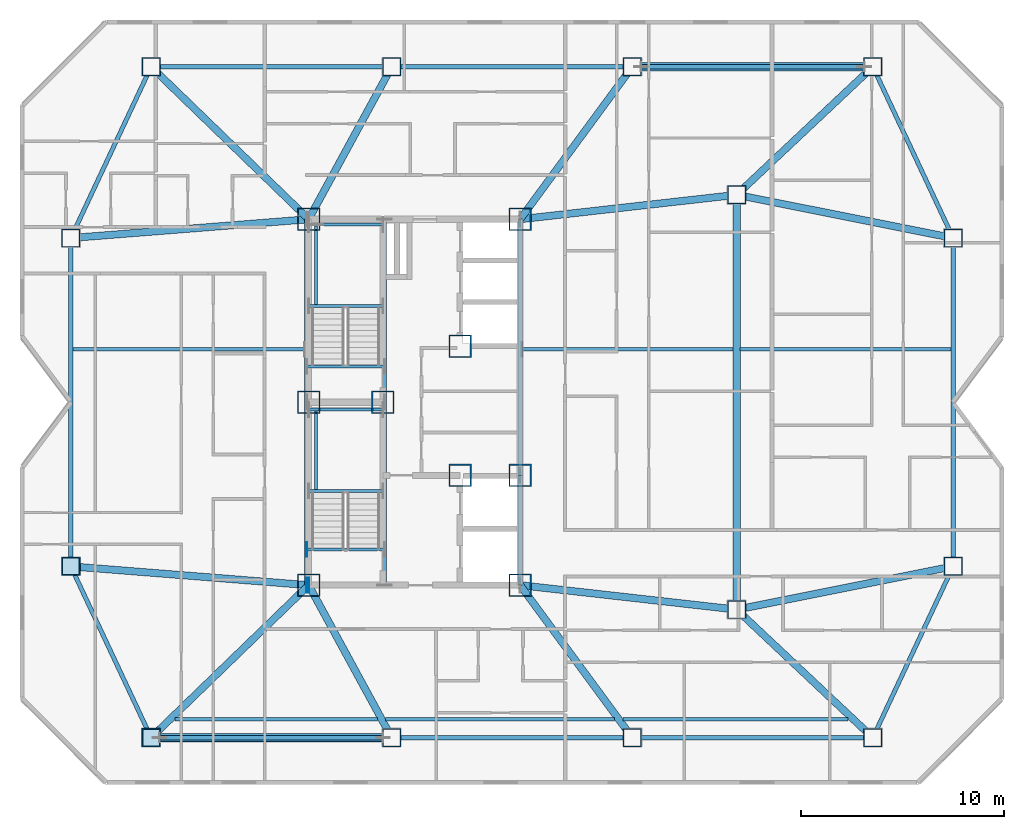
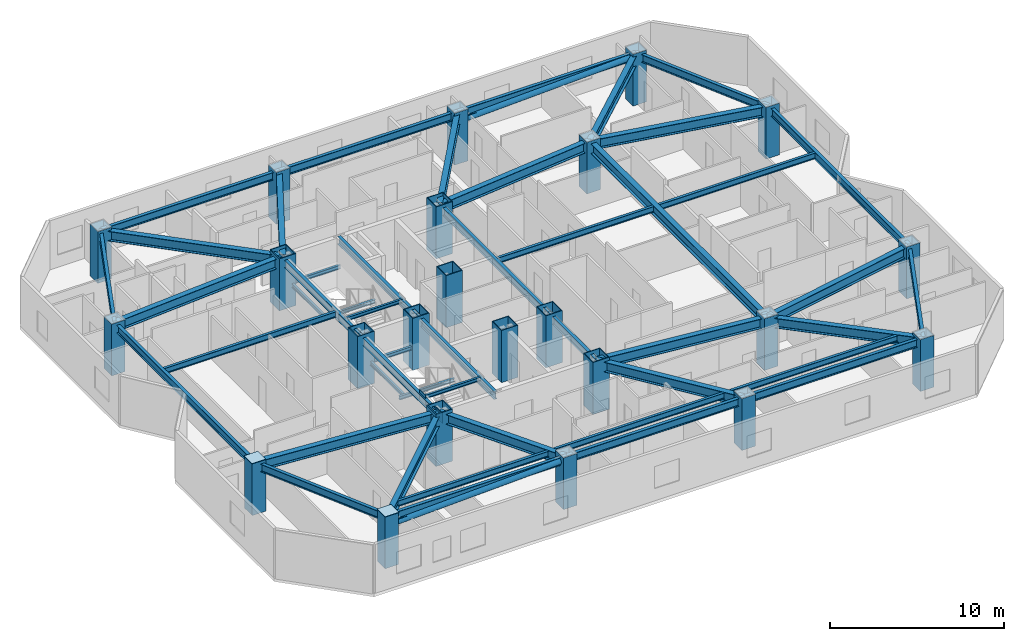
# One storey, part 1 of 13: 47 beams, 23 columns, 5 plates, 2 members.
"""IFC4 building model written with IfcOpenShell, lengths in metres."""

from ifc_helpers import new_model, si_unit, direction, frame, origin, origin_2d, place, context, subcontext, project, spatial, rectangle, hollow_rectangle, hollow_circle, i_section, extrude, material, layer, layer_set, material_profile, profile_set, type_object, element, save


model = new_model("IFC4")

# Units and contexts
model_context = context("Model", 3, precision=1e-05, world=origin(), true_north=direction((0.0, 1.0)))
body_context = subcontext(model_context, "Body", "Model", "MODEL_VIEW")
ifc_project = project(units=[si_unit("LENGTHUNIT", "METRE"), si_unit("AREAUNIT", "SQUARE_METRE"), si_unit("VOLUMEUNIT", "CUBIC_METRE"), si_unit("PLANEANGLEUNIT", "RADIAN"), si_unit("MASSUNIT", "GRAM", prefix="KILO")], contexts=[model_context])

# Site, building, storey
site_placement = place(None, origin())
site = spatial("IfcSite", under=ifc_project, at=site_placement, CompositionType="ELEMENT")
building_placement = place(site_placement, origin())
building = spatial("IfcBuilding", under=site, at=building_placement, Name="Khamvora Tower", CompositionType="ELEMENT")
storey_placement = place(building_placement, frame((0.0, 0.0, 196.050048828125)))
storey = spatial("IfcBuildingStorey", under=building, at=storey_placement, Name="L50", CompositionType="ELEMENT", Elevation=196.050048828125)

# Columns
ifc_material_1 = material(Name="Steel S460", Category="steel")
ifc_material_profile_1 = material_profile(ifc_material_1, hollow_rectangle(XDim=1.10009765625, YDim=1.10009765625, WallThickness=0.054931640625, at=origin_2d()), Name="BOX1100x1100x55")
ifc_profile_set_1 = profile_set([ifc_material_profile_1], Name="Steel S460")
column_type_1 = type_object("IfcColumnType", Name="COL-BOX1100", PredefinedType="COLUMN", material=ifc_profile_set_1)
for number, where, z_axis, x_axis, name in (
    (1, (29.0, 19.0, 0.0), (0.0, 0.0, 1.0), (1.0, 0.0, 0.0), "L50 plumb core spine column SC1"),
    (2, (32.64990234375, 28.0, 0.0), (0.0, 0.0, 1.0), (1.0, 0.0, 0.0), "L50 plumb core spine column SC2"),
    (3, (39.39990234375, 19.0, 0.0), (0.0, 0.0, 1.0), (1.0, 0.0, 0.0), "L50 plumb core spine column SC3"),
    (4, (29.0, 28.0, 0.0), (0.0, 0.0, 1.0), (1.0, 0.0, 0.0), "L50 plumb core spine column SC4"),
    (5, (36.449951171875, 24.39990234375, 0.0), (0.0, 0.0, 1.0), (1.0, 0.0, 0.0), "L50 plumb core spine column SC5"),
    (6, (39.39990234375, 24.39990234375, 0.0), (0.0, 0.0, 1.0), (1.0, 0.0, 0.0), "L50 plumb core spine column SC6"),
    (7, (29.0, 37.0, 0.0), (0.0, 0.0, 1.0), (1.0, 0.0, 0.0), "L50 plumb core spine column SC7"),
    (8, (36.449951171875, 30.75, 0.0), (0.0, 0.0, 1.0), (1.0, 0.0, 0.0), "L50 plumb core spine column SC8"),
    (9, (39.39990234375, 37.0, 0.0), (0.0, 0.0, 1.0), (1.0, 0.0, 0.0), "L50 plumb core spine column SC9"),
):
    element("IfcColumn", number, at=place(storey_placement, frame(where, z_axis=z_axis, x_axis=x_axis)), inside=storey, type_object=column_type_1, Name=name, PredefinedType="COLUMN", context=body_context, shape_type="SweptSolid", body=[
        extrude(hollow_rectangle(XDim=1.10009765625, YDim=1.10009765625, WallThickness=0.054931640625, at=origin_2d()), origin(), (0.0, 0.0, 1.0), 3.64990234375),
    ])
ifc_material_2 = material(Name="Steel S355", Category="steel")
ifc_material_profile_2 = material_profile(ifc_material_2, hollow_rectangle(XDim=0.89990234375, YDim=0.89990234375, WallThickness=0.044921875, at=origin_2d()), Name="BOX900x900x45")
ifc_profile_set_2 = profile_set([ifc_material_profile_2], Name="Steel S355")
column_type_2 = type_object("IfcColumnType", Name="COL-BOX900", PredefinedType="COLUMN", material=ifc_profile_set_2)
for number, where, z_axis, x_axis, name in (
    (10, (21.25, 11.5, 0.0), (0.0, 0.0, 1.0), (1.0, 0.0, 0.0), "L50 structural frame column S1"),
    (11, (33.0830078125, 11.5, 0.0), (0.0, 0.0, 1.0), (1.0, 0.0, 0.0), "L50 structural frame column S2"),
    (12, (44.9169921875, 11.5, 0.0), (0.0, 0.0, 1.0), (1.0, 0.0, 0.0), "L50 structural frame column S3"),
    (13, (56.75, 11.5, 0.0), (0.0, 0.0, 1.0), (1.0, 0.0, 0.0), "L50 structural frame column S4"),
    (14, (21.25, 44.5, 0.0), (0.0, 0.0, 1.0), (1.0, 0.0, 0.0), "L50 structural frame column N1"),
    (15, (33.0830078125, 44.5, 0.0), (0.0, 0.0, 1.0), (1.0, 0.0, 0.0), "L50 structural frame column N2"),
    (16, (44.9169921875, 44.5, 0.0), (0.0, 0.0, 1.0), (1.0, 0.0, 0.0), "L50 structural frame column N3"),
    (17, (56.75, 44.5, 0.0), (0.0, 0.0, 1.0), (1.0, 0.0, 0.0), "L50 structural frame column N4"),
    (18, (17.300048828125, 19.925048828125, 0.0), (0.0, 0.0, 1.0), (1.0, 0.0, 0.0), "L50 structural frame column W1"),
    (19, (17.300048828125, 36.074951171875, 0.0), (0.0, 0.0, 1.0), (1.0, 0.0, 0.0), "L50 structural frame column W2"),
    (20, (60.699951171875, 19.925048828125, 0.0), (0.0, 0.0, 1.0), (1.0, 0.0, 0.0), "L50 structural frame column E1"),
    (21, (60.699951171875, 36.074951171875, 0.0), (0.0, 0.0, 1.0), (1.0, 0.0, 0.0), "L50 structural frame column E2"),
    (22, (50.050048828125, 17.800048828125, 0.0), (0.0, 0.0, 1.0), (1.0, 0.0, 0.0), "L50 structural frame column M1"),
    (23, (50.050048828125, 38.199951171875, 0.0), (0.0, 0.0, 1.0), (1.0, 0.0, 0.0), "L50 structural frame column M2"),
):
    element("IfcColumn", number, at=place(storey_placement, frame(where, z_axis=z_axis, x_axis=x_axis)), inside=storey, type_object=column_type_2, Name=name, PredefinedType="COLUMN", context=body_context, shape_type="SweptSolid", body=[
        extrude(hollow_rectangle(XDim=0.89990234375, YDim=0.89990234375, WallThickness=0.044921875, at=origin_2d()), origin(), (0.0, 0.0, 1.0), 3.625),
    ])

# Beams
ifc_material_profile_3 = material_profile(ifc_material_2, i_section(OverallWidth=0.177978515625, OverallDepth=0.406982421875, WebThickness=0.008056640625, FlangeThickness=0.012939453125, FilletRadius=0.010009765625, at=origin_2d()), Name="W410x60")
ifc_profile_set_3 = profile_set([ifc_material_profile_3], Name="Steel S355")
beam_type_1 = type_object("IfcBeamType", Name="BM-JS-W410x60", PredefinedType="JOIST", material=ifc_profile_set_3)
beam_1_placement = place(storey_placement, frame((22.429931640625, 12.39990234375, 3.225830078125), z_axis=(1.0, 0.0, 0.0), x_axis=(0.0, 1.0, 0.0)))
element("IfcBeam", 24, at=beam_1_placement, inside=storey, type_object=beam_type_1, Name="L50 secondary floor joist 01", PredefinedType="JOIST", context=body_context, shape_type="SweptSolid", body=[
    extrude(i_section(OverallWidth=0.177978515625, OverallDepth=0.406982421875, WebThickness=0.008056640625, FlangeThickness=0.012939453125, FilletRadius=0.010009765625, at=origin_2d()), origin(), (0.0, 0.0, 1.0), 9.966064453125),
])
beam_2_placement = place(storey_placement, frame((32.7900390625, 12.39990234375, 3.225830078125), z_axis=(1.0, 0.0, 0.0), x_axis=(0.0, 1.0, 0.0)))
element("IfcBeam", 25, at=beam_2_placement, inside=storey, type_object=beam_type_1, Name="L50 secondary floor joist 02", PredefinedType="JOIST", context=body_context, shape_type="SweptSolid", body=[
    extrude(i_section(OverallWidth=0.177978515625, OverallDepth=0.406982421875, WebThickness=0.008056640625, FlangeThickness=0.012939453125, FilletRadius=0.010009765625, at=origin_2d()), origin(), (0.0, 0.0, 1.0), 11.25),
])
beam_3_placement = place(storey_placement, frame((44.469970703125, 12.39990234375, 3.225830078125), z_axis=(1.0, 0.0, 0.0), x_axis=(0.0, 1.0, 0.0)))
element("IfcBeam", 26, at=beam_3_placement, inside=storey, type_object=beam_type_1, Name="L50 secondary floor joist 03", PredefinedType="JOIST", context=body_context, shape_type="SweptSolid", body=[
    extrude(i_section(OverallWidth=0.177978515625, OverallDepth=0.406982421875, WebThickness=0.008056640625, FlangeThickness=0.012939453125, FilletRadius=0.010009765625, at=origin_2d()), origin(), (0.0, 0.0, 1.0), 11.069091796875),
])
beam_4_placement = place(storey_placement, frame((17.40087890625, 30.60009765625, 3.225830078125), z_axis=(1.0, 0.0, 0.0), x_axis=(0.0, 1.0, 0.0)))
element("IfcBeam", 27, at=beam_4_placement, inside=storey, type_object=beam_type_1, Name="L50 secondary floor joist 04", PredefinedType="JOIST", context=body_context, shape_type="SweptSolid", body=[
    extrude(i_section(OverallWidth=0.177978515625, OverallDepth=0.406982421875, WebThickness=0.008056640625, FlangeThickness=0.012939453125, FilletRadius=0.010009765625, at=origin_2d()), origin(), (0.0, 0.0, 1.0), 11.399169921875),
])
beam_5_placement = place(storey_placement, frame((39.4990234375, 30.60009765625, 3.225830078125), z_axis=(1.0, 0.0, 0.0), x_axis=(0.0, 1.0, 0.0)))
element("IfcBeam", 28, at=beam_5_placement, inside=storey, type_object=beam_type_1, Name="L50 secondary floor joist 05", PredefinedType="JOIST", context=body_context, shape_type="SweptSolid", body=[
    extrude(i_section(OverallWidth=0.177978515625, OverallDepth=0.406982421875, WebThickness=0.008056640625, FlangeThickness=0.012939453125, FilletRadius=0.010009765625, at=origin_2d()), origin(), (0.0, 0.0, 1.0), 10.3779296875),
])
beam_6_placement = place(storey_placement, frame((50.221923828125, 30.60009765625, 3.225830078125), z_axis=(1.0, 0.0, 0.0), x_axis=(0.0, 1.0, 0.0)))
element("IfcBeam", 29, at=beam_6_placement, inside=storey, type_object=beam_type_1, Name="L50 secondary floor joist 06", PredefinedType="JOIST", context=body_context, shape_type="SweptSolid", body=[
    extrude(i_section(OverallWidth=0.177978515625, OverallDepth=0.406982421875, WebThickness=0.008056640625, FlangeThickness=0.012939453125, FilletRadius=0.010009765625, at=origin_2d()), origin(), (0.0, 0.0, 1.0), 10.377197265625),
])
ifc_material_profile_4 = material_profile(ifc_material_2, i_section(OverallWidth=0.14697265625, OverallDepth=0.261962890625, WebThickness=0.007080078125, FlangeThickness=0.010986328125, FilletRadius=0.008056640625, at=origin_2d()), Name="W250x39")
ifc_profile_set_4 = profile_set([ifc_material_profile_4], Name="Steel S355")
beam_type_2 = type_object("IfcBeamType", Name="BM-LN-W250x39", PredefinedType="LINTEL", material=ifc_profile_set_4)
for number, where, z_axis, x_axis, name in (
    (30, (29.0, 23.635009765625, 1.493896484375), (1.0, 0.0, 0.0), (0.0, 1.0, 0.0), "L50 ST-01 half-landing support beam 1.1"),
    (31, (29.0, 27.6298828125, 1.493896484375), (1.0, 0.0, 0.0), (0.0, 1.0, 0.0), "L50 ST-01 half-landing support beam 1.2"),
):
    element("IfcBeam", number, at=place(storey_placement, frame(where, z_axis=z_axis, x_axis=x_axis)), inside=storey, type_object=beam_type_2, Name=name, PredefinedType="LINTEL", context=body_context, shape_type="SweptSolid", body=[
        extrude(i_section(OverallWidth=0.14697265625, OverallDepth=0.261962890625, WebThickness=0.007080078125, FlangeThickness=0.010986328125, FilletRadius=0.008056640625, at=origin_2d()), origin(), (0.0, 0.0, 1.0), 3.64990234375),
    ])
beam_7_placement = place(storey_placement, frame((29.35009765625, 23.635009765625, 1.493896484375), z_axis=(0.0, 1.0, 0.0), x_axis=(-1.0, 0.0, 0.0)))
element("IfcBeam", 32, at=beam_7_placement, inside=storey, type_object=beam_type_2, Name="L50 ST-01 half-landing edge stringer 1", PredefinedType="LINTEL", context=body_context, shape_type="SweptSolid", body=[
    extrude(i_section(OverallWidth=0.14697265625, OverallDepth=0.261962890625, WebThickness=0.007080078125, FlangeThickness=0.010986328125, FilletRadius=0.008056640625, at=origin_2d()), origin(), (0.0, 0.0, 1.0), 3.994873046875),
])
for number, where, z_axis, x_axis, name in (
    (33, (29.0, 32.735107421875, 1.493896484375), (1.0, 0.0, 0.0), (0.0, 1.0, 0.0), "L50 ST-02 half-landing support beam 1.1"),
    (34, (29.0, 36.72998046875, 1.493896484375), (1.0, 0.0, 0.0), (0.0, 1.0, 0.0), "L50 ST-02 half-landing support beam 1.2"),
):
    element("IfcBeam", number, at=place(storey_placement, frame(where, z_axis=z_axis, x_axis=x_axis)), inside=storey, type_object=beam_type_2, Name=name, PredefinedType="LINTEL", context=body_context, shape_type="SweptSolid", body=[
        extrude(i_section(OverallWidth=0.14697265625, OverallDepth=0.261962890625, WebThickness=0.007080078125, FlangeThickness=0.010986328125, FilletRadius=0.008056640625, at=origin_2d()), origin(), (0.0, 0.0, 1.0), 3.64990234375),
    ])
beam_8_placement = place(storey_placement, frame((29.35009765625, 32.735107421875, 1.493896484375), z_axis=(0.0, 1.0, 0.0), x_axis=(-1.0, 0.0, 0.0)))
element("IfcBeam", 35, at=beam_8_placement, inside=storey, type_object=beam_type_2, Name="L50 ST-02 half-landing edge stringer 1", PredefinedType="LINTEL", context=body_context, shape_type="SweptSolid", body=[
    extrude(i_section(OverallWidth=0.14697265625, OverallDepth=0.261962890625, WebThickness=0.007080078125, FlangeThickness=0.010986328125, FilletRadius=0.008056640625, at=origin_2d()), origin(), (0.0, 0.0, 1.0), 3.994873046875),
])
for number, where, z_axis, x_axis, name in (
    (36, (28.89990234375, 20.75, 3.303955078125), (1.0, 0.0, 0.0), (0.0, 1.0, 0.0), "L50 exit stair ST-01 landing trimmer beam"),
    (37, (28.89990234375, 29.75, 3.303955078125), (1.0, 0.0, 0.0), (0.0, 1.0, 0.0), "L50 exit stair ST-02 landing trimmer beam"),
):
    element("IfcBeam", number, at=place(storey_placement, frame(where, z_axis=z_axis, x_axis=x_axis)), inside=storey, type_object=beam_type_2, Name=name, PredefinedType="LINTEL", context=body_context, shape_type="SweptSolid", body=[
        extrude(i_section(OverallWidth=0.14697265625, OverallDepth=0.261962890625, WebThickness=0.007080078125, FlangeThickness=0.010986328125, FilletRadius=0.008056640625, at=origin_2d()), origin(), (0.0, 0.0, 1.0), 3.830078125),
    ])
ifc_material_profile_5 = material_profile(ifc_material_2, i_section(OverallWidth=0.35498046875, OverallDepth=0.695068359375, WebThickness=0.014892578125, FlangeThickness=0.02490234375, FilletRadius=0.01611328125, at=origin_2d()), Name="W690x217")
ifc_profile_set_5 = profile_set([ifc_material_profile_5], Name="Steel S355")
beam_type_3 = type_object("IfcBeamType", Name="BM-PG-W690x217", PredefinedType="BEAM", material=ifc_profile_set_5)
beam_9_placement = place(storey_placement, frame((50.050048828125, 17.800048828125, 3.08203125), z_axis=(0.0, 1.0, 0.0), x_axis=(-1.0, 0.0, 0.0)))
element("IfcBeam", 38, at=beam_9_placement, inside=storey, type_object=beam_type_3, Name="L50 longitudinal frame girder M1-M2", PredefinedType="BEAM", context=body_context, shape_type="SweptSolid", body=[
    extrude(i_section(OverallWidth=0.35498046875, OverallDepth=0.695068359375, WebThickness=0.014892578125, FlangeThickness=0.02490234375, FilletRadius=0.01611328125, at=origin_2d()), origin(), (0.0, 0.0, 1.0), 20.39990234375),
])
beam_10_placement = place(storey_placement, frame((29.0, 19.0, 3.08203125), z_axis=(-0.718602141767, -0.695421427516, 0.0), x_axis=(0.695421427516, -0.718602141767, 0.0)))
element("IfcBeam", 39, at=beam_10_placement, inside=storey, type_object=beam_type_3, Name="L50 primary floor girder S1", PredefinedType="BEAM", context=body_context, shape_type="SweptSolid", body=[
    extrude(i_section(OverallWidth=0.35498046875, OverallDepth=0.695068359375, WebThickness=0.014892578125, FlangeThickness=0.02490234375, FilletRadius=0.01611328125, at=origin_2d()), origin(), (0.0, 0.0, 1.0), 10.784912109375),
])
beam_11_placement = place(storey_placement, frame((29.0, 19.0, 3.08203125), z_axis=(0.478138862063, -0.878284252725, 0.0), x_axis=(0.878284252725, 0.478138862063, 0.0)))
element("IfcBeam", 40, at=beam_11_placement, inside=storey, type_object=beam_type_3, Name="L50 primary floor girder S2", PredefinedType="BEAM", context=body_context, shape_type="SweptSolid", body=[
    extrude(i_section(OverallWidth=0.35498046875, OverallDepth=0.695068359375, WebThickness=0.014892578125, FlangeThickness=0.02490234375, FilletRadius=0.01611328125, at=origin_2d()), origin(), (0.0, 0.0, 1.0), 8.539306640625),
])
beam_12_placement = place(storey_placement, frame((39.39990234375, 19.0, 3.08203125), z_axis=(0.592556630955, -0.805528794713, 0.0), x_axis=(0.805528794713, 0.592556630955, 0.0)))
element("IfcBeam", 41, at=beam_12_placement, inside=storey, type_object=beam_type_3, Name="L50 primary floor girder S3", PredefinedType="BEAM", context=body_context, shape_type="SweptSolid", body=[
    extrude(i_section(OverallWidth=0.35498046875, OverallDepth=0.695068359375, WebThickness=0.014892578125, FlangeThickness=0.02490234375, FilletRadius=0.01611328125, at=origin_2d()), origin(), (0.0, 0.0, 1.0), 9.310546875),
])
beam_13_placement = place(storey_placement, frame((50.050048828125, 17.800048828125, 3.08203125), z_axis=(0.728513992294, -0.685030921224, 0.0), x_axis=(0.685030921224, 0.728513992294, 0.0)))
element("IfcBeam", 42, at=beam_13_placement, inside=storey, type_object=beam_type_3, Name="L50 primary floor girder S4", PredefinedType="BEAM", context=body_context, shape_type="SweptSolid", body=[
    extrude(i_section(OverallWidth=0.35498046875, OverallDepth=0.695068359375, WebThickness=0.014892578125, FlangeThickness=0.02490234375, FilletRadius=0.01611328125, at=origin_2d()), origin(), (0.0, 0.0, 1.0), 9.19677734375),
])
beam_14_placement = place(storey_placement, frame((29.0, 37.0, 3.08203125), z_axis=(-0.718602141767, 0.695421427516, 0.0), x_axis=(-0.695421427516, -0.718602141767, 0.0)))
element("IfcBeam", 43, at=beam_14_placement, inside=storey, type_object=beam_type_3, Name="L50 primary floor girder N1", PredefinedType="BEAM", context=body_context, shape_type="SweptSolid", body=[
    extrude(i_section(OverallWidth=0.35498046875, OverallDepth=0.695068359375, WebThickness=0.014892578125, FlangeThickness=0.02490234375, FilletRadius=0.01611328125, at=origin_2d()), origin(), (0.0, 0.0, 1.0), 10.784912109375),
])
beam_15_placement = place(storey_placement, frame((29.0, 37.0, 3.08203125), z_axis=(0.478138862063, 0.878284252725, 0.0), x_axis=(-0.878284252725, 0.478138862063, 0.0)))
element("IfcBeam", 44, at=beam_15_placement, inside=storey, type_object=beam_type_3, Name="L50 primary floor girder N2", PredefinedType="BEAM", context=body_context, shape_type="SweptSolid", body=[
    extrude(i_section(OverallWidth=0.35498046875, OverallDepth=0.695068359375, WebThickness=0.014892578125, FlangeThickness=0.02490234375, FilletRadius=0.01611328125, at=origin_2d()), origin(), (0.0, 0.0, 1.0), 8.539306640625),
])
beam_16_placement = place(storey_placement, frame((39.39990234375, 37.0, 3.08203125), z_axis=(0.592556630955, 0.805528794713, 0.0), x_axis=(-0.805528794713, 0.592556630955, 0.0)))
element("IfcBeam", 45, at=beam_16_placement, inside=storey, type_object=beam_type_3, Name="L50 primary floor girder N3", PredefinedType="BEAM", context=body_context, shape_type="SweptSolid", body=[
    extrude(i_section(OverallWidth=0.35498046875, OverallDepth=0.695068359375, WebThickness=0.014892578125, FlangeThickness=0.02490234375, FilletRadius=0.01611328125, at=origin_2d()), origin(), (0.0, 0.0, 1.0), 9.310546875),
])
beam_17_placement = place(storey_placement, frame((50.050048828125, 38.199951171875, 3.08203125), z_axis=(0.728513992294, 0.685030921224, 0.0), x_axis=(-0.685030921224, 0.728513992294, 0.0)))
element("IfcBeam", 46, at=beam_17_placement, inside=storey, type_object=beam_type_3, Name="L50 primary floor girder N4", PredefinedType="BEAM", context=body_context, shape_type="SweptSolid", body=[
    extrude(i_section(OverallWidth=0.35498046875, OverallDepth=0.695068359375, WebThickness=0.014892578125, FlangeThickness=0.02490234375, FilletRadius=0.01611328125, at=origin_2d()), origin(), (0.0, 0.0, 1.0), 9.19677734375),
])
for number, where, z_axis, x_axis, name in (
    (47, (29.0, 19.0, 3.08203125), (-0.996888993668, 0.078818362728, 0.0), (-0.078818362728, -0.996888993668, 0.0), "L50 primary floor girder W1"),
    (48, (29.0, 37.0, 3.08203125), (-0.996888993668, -0.078818362728, 0.0), (0.078818362728, -0.996888993668, 0.0), "L50 primary floor girder W2"),
):
    element("IfcBeam", number, at=place(storey_placement, frame(where, z_axis=z_axis, x_axis=x_axis)), inside=storey, type_object=beam_type_3, Name=name, PredefinedType="BEAM", context=body_context, shape_type="SweptSolid", body=[
        extrude(i_section(OverallWidth=0.35498046875, OverallDepth=0.695068359375, WebThickness=0.014892578125, FlangeThickness=0.02490234375, FilletRadius=0.01611328125, at=origin_2d()), origin(), (0.0, 0.0, 1.0), 11.736572265625),
    ])
for number, where, z_axis, x_axis, name in (
    (49, (50.050048828125, 17.800048828125, 3.08203125), (0.980668771461, 0.195675140681, 0.0), (-0.195675140681, 0.980668771461, 0.0), "L50 primary floor girder E1"),
    (50, (50.050048828125, 38.199951171875, 3.08203125), (0.980668771461, -0.195675140681, 0.0), (0.195675140681, 0.980668771461, 0.0), "L50 primary floor girder E2"),
):
    element("IfcBeam", number, at=place(storey_placement, frame(where, z_axis=z_axis, x_axis=x_axis)), inside=storey, type_object=beam_type_3, Name=name, PredefinedType="BEAM", context=body_context, shape_type="SweptSolid", body=[
        extrude(i_section(OverallWidth=0.35498046875, OverallDepth=0.695068359375, WebThickness=0.014892578125, FlangeThickness=0.02490234375, FilletRadius=0.01611328125, at=origin_2d()), origin(), (0.0, 0.0, 1.0), 10.85986328125),
    ])
for number, where, z_axis, x_axis, name in (
    (51, (39.39990234375, 19.0, 3.08203125), (0.993712543569, -0.111961514606, 0.0), (0.111961514606, 0.993712543569, 0.0), "L50 primary floor girder M1"),
    (52, (39.39990234375, 37.0, 3.08203125), (0.993712543569, 0.111961514606, 0.0), (-0.111961514606, 0.993712543569, 0.0), "L50 primary floor girder M2"),
):
    element("IfcBeam", number, at=place(storey_placement, frame(where, z_axis=z_axis, x_axis=x_axis)), inside=storey, type_object=beam_type_3, Name=name, PredefinedType="BEAM", context=body_context, shape_type="SweptSolid", body=[
        extrude(i_section(OverallWidth=0.35498046875, OverallDepth=0.695068359375, WebThickness=0.014892578125, FlangeThickness=0.02490234375, FilletRadius=0.01611328125, at=origin_2d()), origin(), (0.0, 0.0, 1.0), 10.717529296875),
    ])
ifc_material_profile_6 = material_profile(ifc_material_2, i_section(OverallWidth=0.2119140625, OverallDepth=0.5439453125, WebThickness=0.012939453125, FlangeThickness=0.02099609375, FilletRadius=0.013916015625, at=origin_2d()), Name="W530x123")
ifc_profile_set_6 = profile_set([ifc_material_profile_6], Name="Steel S355")
beam_type_4 = type_object("IfcBeamType", Name="BM-SP-W530x123", PredefinedType="SPANDREL", material=ifc_profile_set_6)
beam_18_placement = place(storey_placement, frame((17.300048828125, 19.925048828125, 3.157958984375), z_axis=(0.424496391454, -0.905429629315, 0.0), x_axis=(0.905429629315, 0.424496391454, 0.0)))
element("IfcBeam", 53, at=beam_18_placement, inside=storey, type_object=beam_type_4, Name="L50 perimeter spandrel beam W1-S1", PredefinedType="SPANDREL", context=body_context, shape_type="SweptSolid", body=[
    extrude(i_section(OverallWidth=0.2119140625, OverallDepth=0.5439453125, WebThickness=0.012939453125, FlangeThickness=0.02099609375, FilletRadius=0.013916015625, at=origin_2d()), origin(), (0.0, 0.0, 1.0), 9.304931640625),
])
beam_19_placement = place(storey_placement, frame((21.25, 11.5, 3.157958984375), z_axis=(1.0, 0.0, 0.0), x_axis=(0.0, 1.0, 0.0)))
element("IfcBeam", 54, at=beam_19_placement, inside=storey, type_object=beam_type_4, Name="L50 perimeter spandrel beam S1-S2", PredefinedType="SPANDREL", context=body_context, shape_type="SweptSolid", body=[
    extrude(i_section(OverallWidth=0.2119140625, OverallDepth=0.5439453125, WebThickness=0.012939453125, FlangeThickness=0.02099609375, FilletRadius=0.013916015625, at=origin_2d()), origin(), (0.0, 0.0, 1.0), 11.8330078125),
])
beam_20_placement = place(storey_placement, frame((33.0830078125, 11.5, 3.157958984375), z_axis=(1.0, 0.0, 0.0), x_axis=(0.0, 1.0, 0.0)))
element("IfcBeam", 55, at=beam_20_placement, inside=storey, type_object=beam_type_4, Name="L50 perimeter spandrel beam S2-S3", PredefinedType="SPANDREL", context=body_context, shape_type="SweptSolid", body=[
    extrude(i_section(OverallWidth=0.2119140625, OverallDepth=0.5439453125, WebThickness=0.012939453125, FlangeThickness=0.02099609375, FilletRadius=0.013916015625, at=origin_2d()), origin(), (0.0, 0.0, 1.0), 11.833984375),
])
beam_21_placement = place(storey_placement, frame((44.9169921875, 11.5, 3.157958984375), z_axis=(1.0, 0.0, 0.0), x_axis=(0.0, 1.0, 0.0)))
element("IfcBeam", 56, at=beam_21_placement, inside=storey, type_object=beam_type_4, Name="L50 perimeter spandrel beam S3-S4", PredefinedType="SPANDREL", context=body_context, shape_type="SweptSolid", body=[
    extrude(i_section(OverallWidth=0.2119140625, OverallDepth=0.5439453125, WebThickness=0.012939453125, FlangeThickness=0.02099609375, FilletRadius=0.013916015625, at=origin_2d()), origin(), (0.0, 0.0, 1.0), 11.8330078125),
])
beam_22_placement = place(storey_placement, frame((56.75, 11.5, 3.157958984375), z_axis=(0.424496391454, 0.905429629315, 0.0), x_axis=(-0.905429629315, 0.424496391454, 0.0)))
element("IfcBeam", 57, at=beam_22_placement, inside=storey, type_object=beam_type_4, Name="L50 perimeter spandrel beam S4-E1", PredefinedType="SPANDREL", context=body_context, shape_type="SweptSolid", body=[
    extrude(i_section(OverallWidth=0.2119140625, OverallDepth=0.5439453125, WebThickness=0.012939453125, FlangeThickness=0.02099609375, FilletRadius=0.013916015625, at=origin_2d()), origin(), (0.0, 0.0, 1.0), 9.304931640625),
])
beam_23_placement = place(storey_placement, frame((60.699951171875, 19.925048828125, 3.157958984375), z_axis=(0.0, 1.0, 0.0), x_axis=(-1.0, 0.0, 0.0)))
element("IfcBeam", 58, at=beam_23_placement, inside=storey, type_object=beam_type_4, Name="L50 perimeter spandrel beam E1-E2", PredefinedType="SPANDREL", context=body_context, shape_type="SweptSolid", body=[
    extrude(i_section(OverallWidth=0.2119140625, OverallDepth=0.5439453125, WebThickness=0.012939453125, FlangeThickness=0.02099609375, FilletRadius=0.013916015625, at=origin_2d()), origin(), (0.0, 0.0, 1.0), 16.14990234375),
])
beam_24_placement = place(storey_placement, frame((60.699951171875, 36.074951171875, 3.157958984375), z_axis=(-0.424496391454, 0.905429629315, 0.0), x_axis=(-0.905429629315, -0.424496391454, 0.0)))
element("IfcBeam", 59, at=beam_24_placement, inside=storey, type_object=beam_type_4, Name="L50 perimeter spandrel beam E2-N4", PredefinedType="SPANDREL", context=body_context, shape_type="SweptSolid", body=[
    extrude(i_section(OverallWidth=0.2119140625, OverallDepth=0.5439453125, WebThickness=0.012939453125, FlangeThickness=0.02099609375, FilletRadius=0.013916015625, at=origin_2d()), origin(), (0.0, 0.0, 1.0), 9.304931640625),
])
beam_25_placement = place(storey_placement, frame((56.75, 44.5, 3.157958984375), z_axis=(-1.0, 0.0, 0.0), x_axis=(0.0, -1.0, 0.0)))
element("IfcBeam", 60, at=beam_25_placement, inside=storey, type_object=beam_type_4, Name="L50 perimeter spandrel beam N4-N3", PredefinedType="SPANDREL", context=body_context, shape_type="SweptSolid", body=[
    extrude(i_section(OverallWidth=0.2119140625, OverallDepth=0.5439453125, WebThickness=0.012939453125, FlangeThickness=0.02099609375, FilletRadius=0.013916015625, at=origin_2d()), origin(), (0.0, 0.0, 1.0), 11.8330078125),
])
beam_26_placement = place(storey_placement, frame((44.9169921875, 44.5, 3.157958984375), z_axis=(-1.0, 0.0, 0.0), x_axis=(0.0, -1.0, 0.0)))
element("IfcBeam", 61, at=beam_26_placement, inside=storey, type_object=beam_type_4, Name="L50 perimeter spandrel beam N3-N2", PredefinedType="SPANDREL", context=body_context, shape_type="SweptSolid", body=[
    extrude(i_section(OverallWidth=0.2119140625, OverallDepth=0.5439453125, WebThickness=0.012939453125, FlangeThickness=0.02099609375, FilletRadius=0.013916015625, at=origin_2d()), origin(), (0.0, 0.0, 1.0), 11.833984375),
])
beam_27_placement = place(storey_placement, frame((33.0830078125, 44.5, 3.157958984375), z_axis=(-1.0, 0.0, 0.0), x_axis=(0.0, -1.0, 0.0)))
element("IfcBeam", 62, at=beam_27_placement, inside=storey, type_object=beam_type_4, Name="L50 perimeter spandrel beam N2-N1", PredefinedType="SPANDREL", context=body_context, shape_type="SweptSolid", body=[
    extrude(i_section(OverallWidth=0.2119140625, OverallDepth=0.5439453125, WebThickness=0.012939453125, FlangeThickness=0.02099609375, FilletRadius=0.013916015625, at=origin_2d()), origin(), (0.0, 0.0, 1.0), 11.8330078125),
])
beam_28_placement = place(storey_placement, frame((21.25, 44.5, 3.157958984375), z_axis=(-0.424496391454, -0.905429629315, 0.0), x_axis=(0.905429629315, -0.424496391454, 0.0)))
element("IfcBeam", 63, at=beam_28_placement, inside=storey, type_object=beam_type_4, Name="L50 perimeter spandrel beam N1-W2", PredefinedType="SPANDREL", context=body_context, shape_type="SweptSolid", body=[
    extrude(i_section(OverallWidth=0.2119140625, OverallDepth=0.5439453125, WebThickness=0.012939453125, FlangeThickness=0.02099609375, FilletRadius=0.013916015625, at=origin_2d()), origin(), (0.0, 0.0, 1.0), 9.304931640625),
])
beam_29_placement = place(storey_placement, frame((17.300048828125, 36.074951171875, 3.157958984375), z_axis=(0.0, -1.0, 0.0), x_axis=(1.0, 0.0, 0.0)))
element("IfcBeam", 64, at=beam_29_placement, inside=storey, type_object=beam_type_4, Name="L50 perimeter spandrel beam W2-W1", PredefinedType="SPANDREL", context=body_context, shape_type="SweptSolid", body=[
    extrude(i_section(OverallWidth=0.2119140625, OverallDepth=0.5439453125, WebThickness=0.012939453125, FlangeThickness=0.02099609375, FilletRadius=0.013916015625, at=origin_2d()), origin(), (0.0, 0.0, 1.0), 16.14990234375),
])
ifc_material_profile_7 = material_profile(ifc_material_2, i_section(OverallWidth=0.208984375, OverallDepth=0.532958984375, WebThickness=0.010009765625, FlangeThickness=0.01611328125, FilletRadius=0.013916015625, at=origin_2d()), Name="W530x92")
ifc_profile_set_7 = profile_set([ifc_material_profile_7], Name="Steel S355")
beam_type_5 = type_object("IfcBeamType", Name="BM-SP-W530x92", PredefinedType="SPANDREL", material=ifc_profile_set_7)
for number, where, z_axis, x_axis, name in (
    (65, (28.89990234375, 19.0, 3.162841796875), (0.0, 1.0, 0.0), (-1.0, 0.0, 0.0), "L50 core spine girder WS"),
    (66, (28.89990234375, 28.0, 3.162841796875), (0.0, 1.0, 0.0), (-1.0, 0.0, 0.0), "L50 core spine girder WN"),
    (67, (32.72998046875, 19.0, 3.162841796875), (0.0, 1.0, 0.0), (-1.0, 0.0, 0.0), "L50 core spine girder M1S"),
    (68, (32.72998046875, 28.0, 3.162841796875), (0.0, 1.0, 0.0), (-1.0, 0.0, 0.0), "L50 core spine girder M1N"),
):
    element("IfcBeam", number, at=place(storey_placement, frame(where, z_axis=z_axis, x_axis=x_axis)), inside=storey, type_object=beam_type_5, Name=name, PredefinedType="SPANDREL", context=body_context, shape_type="SweptSolid", body=[
        extrude(i_section(OverallWidth=0.208984375, OverallDepth=0.532958984375, WebThickness=0.010009765625, FlangeThickness=0.01611328125, FilletRadius=0.013916015625, at=origin_2d()), origin(), (0.0, 0.0, 1.0), 9.0),
    ])
beam_30_placement = place(storey_placement, frame((39.39990234375, 19.0, 3.162841796875), z_axis=(0.0, 1.0, 0.0), x_axis=(-1.0, 0.0, 0.0)))
element("IfcBeam", 69, at=beam_30_placement, inside=storey, type_object=beam_type_5, Name="L50 core spine girder ES", PredefinedType="SPANDREL", context=body_context, shape_type="SweptSolid", body=[
    extrude(i_section(OverallWidth=0.208984375, OverallDepth=0.532958984375, WebThickness=0.010009765625, FlangeThickness=0.01611328125, FilletRadius=0.013916015625, at=origin_2d()), origin(), (0.0, 0.0, 1.0), 5.39990234375),
])
beam_31_placement = place(storey_placement, frame((39.39990234375, 24.39990234375, 3.162841796875), z_axis=(0.0, 1.0, 0.0), x_axis=(-1.0, 0.0, 0.0)))
element("IfcBeam", 70, at=beam_31_placement, inside=storey, type_object=beam_type_5, Name="L50 core spine girder EN", PredefinedType="SPANDREL", context=body_context, shape_type="SweptSolid", body=[
    extrude(i_section(OverallWidth=0.208984375, OverallDepth=0.532958984375, WebThickness=0.010009765625, FlangeThickness=0.01611328125, FilletRadius=0.013916015625, at=origin_2d()), origin(), (0.0, 0.0, 1.0), 12.60009765625),
])

# Members
ifc_material_profile_8 = material_profile(ifc_material_2, hollow_circle(Radius=0.202880859375, WallThickness=0.01611328125, at=origin_2d()), Name="CHS406x16")
ifc_profile_set_8 = profile_set([ifc_material_profile_8], Name="Steel S355")
member_type = type_object("IfcMemberType", Name="MEM-BR-CHS406", PredefinedType="BRACE", material=ifc_profile_set_8)
for number, where, z_axis, x_axis, name in (
    (71, (21.679931640625, 11.5, 2.697998046875), (0.999174860809, 0.0, 0.040615237634), (0.0, 1.0, 0.0), "L50 perimeter wind brace 1"),
    (72, (45.346923828125, 44.5, 2.697998046875), (0.999174860809, 0.0, 0.040615237634), (0.0, 1.0, 0.0), "L50 perimeter wind brace 2"),
):
    element("IfcMember", number, at=place(storey_placement, frame(where, z_axis=z_axis, x_axis=x_axis)), inside=storey, type_object=member_type, Name=name, PredefinedType="BRACE", context=body_context, shape_type="SweptSolid", body=[
        extrude(hollow_circle(Radius=0.202880859375, WallThickness=0.01611328125, at=origin_2d()), origin(), (0.0, 0.0, 1.0), 10.982177734375),
    ])

# Plates
ifc_layer_1 = layer(ifc_material_2, 0.02490234375)
ifc_layer_set_1 = layer_set([ifc_layer_1], Name="Steel S355")
plate_type_1 = type_object("IfcPlateType", Name="PL-CAP-25", PredefinedType="SHEET", material=ifc_layer_set_1)
for number, where, z_axis, x_axis, name in (
    (73, (21.25, 11.5, 3.62548828125), (0.0, 0.0, 1.0), (1.0, 0.0, 0.0), "L50 hollow section steel end cap plate 0189"),
    (74, (17.300048828125, 19.929931640625, 3.62548828125), (0.0, 0.0, 1.0), (1.0, 0.0, 0.0), "L50 hollow section steel end cap plate 0213"),
):
    element("IfcPlate", number, at=place(storey_placement, frame(where, z_axis=z_axis, x_axis=x_axis)), inside=storey, type_object=plate_type_1, Name=name, PredefinedType="SHEET", context=body_context, shape_type="SweptSolid", body=[
        extrude(rectangle(XDim=0.929931640625, YDim=0.929931640625, at=origin_2d()), origin(), (0.0, 0.0, 1.0), 0.02490234375),
    ])
ifc_layer_2 = layer(ifc_material_1, 0.034912109375)
ifc_layer_set_2 = layer_set([ifc_layer_2], Name="Steel S460")
plate_type_2 = type_object("IfcPlateType", Name="PL-EMB-35", PredefinedType="SHEET", material=ifc_layer_set_2)
for number, where, z_axis, x_axis, name in (
    (75, (29.0, 19.0, 2.72216796875), (0.0, 0.0, 1.0), (1.0, 0.0, 0.0), "L50 core shear wall cast-in embed plate 1459"),
    (76, (28.89990234375, 19.0, 2.802734375), (0.0, 0.0, 1.0), (1.0, 0.0, 0.0), "L50 core shear wall cast-in embed plate 1463"),
    (77, (28.89990234375, 20.75, 2.94384765625), (0.0, 0.0, 1.0), (1.0, 0.0, 0.0), "L50 core shear wall cast-in embed plate 1472"),
):
    element("IfcPlate", number, at=place(storey_placement, frame(where, z_axis=z_axis, x_axis=x_axis)), inside=storey, type_object=plate_type_2, Name=name, PredefinedType="SHEET", context=body_context, shape_type="SweptSolid", body=[
        extrude(rectangle(XDim=0.034912109375, YDim=0.719970703125, at=origin_2d()), origin(), (0.0, 0.0, 1.0), 0.719970703125),
    ])

save(model, "model.ifc")
